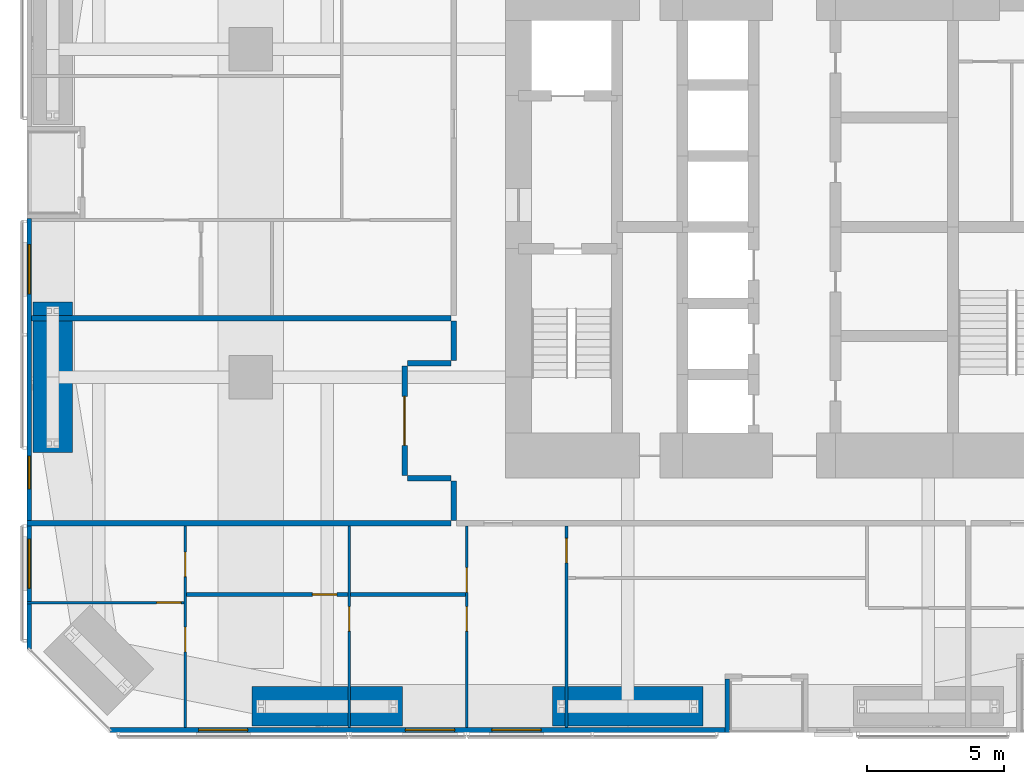
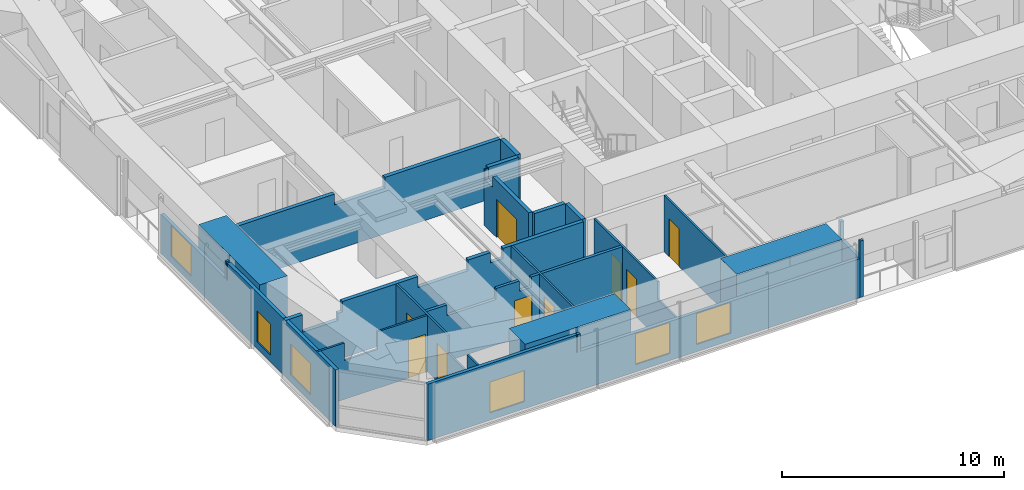
# One storey, part 17 of 24: 20 walls, 9 doors, 6 windows, 15 openings.
"""IFC4 building model written with IfcOpenShell, lengths in metres."""

import ifcopenshell
import ifcopenshell.guid

model = None  # the IFC model being written
_history = None  # IfcOwnerHistory: only IFC2X3 demands one
_inside = {}  # id of a spatial element -> (the spatial element, [elements in it])
_under = {}  # id of a project, library or spatial element -> (it, [spatial elements below it])
_declared = {}  # id of a project -> (the project, [libraries it declares])
_typed = {}  # id of a type object -> (the type object, [elements of that type])
_made_of = {}  # id of a material, layer set ... -> (it, [elements and type objects made of it])


def new_model(schema):
    """Start an empty IFC model of exactly this schema.

    Asked for "IFC4X3", IfcOpenShell would pick the latest addendum, in which some entities
    have other attributes; the version numbers below select the first issue.
    IFC2X3 requires an IfcOwnerHistory on every rooted entity: one is made here for all.
    """
    global model, _history
    if schema == "IFC4X3":
        model = ifcopenshell.file(schema_version=(4, 3, 0, 0))
    else:
        model = ifcopenshell.file(schema=schema)
    _inside.clear()
    _under.clear()
    _declared.clear()
    _typed.clear()
    _made_of.clear()
    _history = None
    if model.schema == "IFC2X3":
        org = make("IfcOrganization", Name="unknown")
        user = make(
            "IfcPersonAndOrganization",
            ThePerson=make("IfcPerson", FamilyName="unknown"),
            TheOrganization=org,
        )
        app = make(
            "IfcApplication",
            ApplicationDeveloper=org,
            Version="unknown",
            ApplicationFullName="unknown",
            ApplicationIdentifier="unknown",
        )
        _history = make(
            "IfcOwnerHistory",
            OwningUser=user,
            OwningApplication=app,
            ChangeAction="ADDED",
            CreationDate=0,
        )
    return model


def make(cls, **values):
    """One entity of the class cls with the attributes given. An attribute that is None is left unset."""
    return model.create_entity(
        cls, **{name: value for name, value in values.items() if value is not None}
    )


def rooted(cls, **values):
    """An entity with a GlobalId (a new one), such as an element, a storey or a relation."""
    return make(cls, GlobalId=ifcopenshell.guid.new(), OwnerHistory=_history, **values)


def si_unit(unit_type, name, prefix=None):
    """IfcSIUnit, for example si_unit("LENGTHUNIT", "METRE", prefix="MILLI")."""
    return make("IfcSIUnit", UnitType=unit_type, Prefix=prefix, Name=name)


def assignment(units):
    """IfcUnitAssignment: the units of a project."""
    return None if units is None else make("IfcUnitAssignment", Units=units)


def point(xyz):
    """IfcCartesianPoint."""
    return None if xyz is None else make("IfcCartesianPoint", Coordinates=xyz)


def direction(xyz):
    """IfcDirection."""
    return None if xyz is None else make("IfcDirection", DirectionRatios=xyz)


def frame(location, z_axis=None, x_axis=None):
    """IfcAxis2Placement3D, a coordinate frame: its origin and axes. An axis left out is left unset."""
    return make(
        "IfcAxis2Placement3D",
        Location=point(location),
        Axis=direction(z_axis),
        RefDirection=direction(x_axis),
    )


def frame_2d(location, x_axis=None):
    """IfcAxis2Placement2D, a coordinate frame in the plane: its origin and x axis."""
    return make(
        "IfcAxis2Placement2D", Location=point(location), RefDirection=direction(x_axis)
    )


def origin():
    """The frame at (0, 0, 0) with its axes left unset."""
    return frame((0.0, 0.0, 0.0))


def place(relative_to, where):
    """IfcLocalPlacement: puts the frame where relative to a parent placement (None: the world)."""
    return make(
        "IfcLocalPlacement", PlacementRelTo=relative_to, RelativePlacement=where
    )


def context(
    kind, dimensions, precision=None, world=None, true_north=None, identifier=None
):
    """IfcGeometricRepresentationContext, for example the 3D "Model" context."""
    return make(
        "IfcGeometricRepresentationContext",
        ContextIdentifier=identifier,
        ContextType=kind,
        CoordinateSpaceDimension=dimensions,
        Precision=precision,
        WorldCoordinateSystem=world,
        TrueNorth=true_north,
    )


def subcontext(parent, identifier, kind, view, scale=None):
    """IfcGeometricRepresentationSubContext, for example "Body" below "Model"."""
    return make(
        "IfcGeometricRepresentationSubContext",
        ContextIdentifier=identifier,
        ContextType=kind,
        ParentContext=parent,
        TargetScale=scale,
        TargetView=view,
    )


def project(units=None, contexts=None):
    """IfcProject with its units and contexts."""
    return rooted(
        "IfcProject",
        Name="project",
        RepresentationContexts=contexts,
        UnitsInContext=assignment(units),
    )


def spatial(cls, under=None, at=None, **own):
    """A site, building, storey or space (cls), placed at a placement, below another one or the project."""
    s = rooted(cls, ObjectPlacement=at, **own)
    if under is not None:
        _under.setdefault(under.id(), (under, []))[1].append(s)
    return s


def polyline(points):
    """IfcPolyline through the points."""
    return make("IfcPolyline", Points=[point(p) for p in points])


def profile(cls, at=None, kind="AREA", **sizes):
    """A parametric profile (cls). Its sizes go by their IFC names, for example OverallWidth=200.0."""
    return make(cls, ProfileType=kind, Position=at, **sizes)


def rectangle(**sizes):
    """IfcRectangleProfileDef."""
    return profile("IfcRectangleProfileDef", **sizes)


def outline(outer, holes=None, kind="AREA"):
    """IfcArbitraryClosedProfileDef: a profile drawn as a closed curve; with holes, ...WithVoids."""
    if holes is None:
        return make("IfcArbitraryClosedProfileDef", ProfileType=kind, OuterCurve=outer)
    return make(
        "IfcArbitraryProfileDefWithVoids",
        ProfileType=kind,
        OuterCurve=outer,
        InnerCurves=holes,
    )


def extrude(swept, where, along, depth):
    """IfcExtrudedAreaSolid: the profile swept, set in the frame where, extruded along a direction by depth."""
    return make(
        "IfcExtrudedAreaSolid",
        SweptArea=swept,
        Position=where,
        ExtrudedDirection=direction(along),
        Depth=depth,
    )


def shape(context_of_items, identifier, shape_type, items):
    """IfcShapeRepresentation: the items that make up one representation, for example the "Body"."""
    return make(
        "IfcShapeRepresentation",
        ContextOfItems=context_of_items,
        RepresentationIdentifier=identifier,
        RepresentationType=shape_type,
        Items=items,
    )


def material(Name=None, Category=None):
    """IfcMaterial."""
    return make("IfcMaterial", Name=Name, Category=Category)


def layer(
    of_material, thickness, ventilated=None, Name=None, Category=None, Priority=None
):
    """IfcMaterialLayer: one layer of a wall or slab, of a material (None: an air gap)."""
    return make(
        "IfcMaterialLayer",
        Material=of_material,
        LayerThickness=thickness,
        IsVentilated=ventilated,
        Name=Name,
        Category=Category,
        Priority=Priority,
    )


def layer_set(layers, Name=None):
    """IfcMaterialLayerSet."""
    return make("IfcMaterialLayerSet", MaterialLayers=layers, LayerSetName=Name)


def constituent(of_material, Name=None, Category=None, fraction=None):
    """IfcMaterialConstituent: one of the materials an element consists of."""
    return make(
        "IfcMaterialConstituent",
        Name=Name,
        Material=of_material,
        Fraction=fraction,
        Category=Category,
    )


def constituent_set(constituents=None, Name=None):
    """IfcMaterialConstituentSet."""
    return make(
        "IfcMaterialConstituentSet", Name=Name, MaterialConstituents=constituents
    )


def made_of(thing, what):
    """Note that an element or type object is made of a material, layer set ...; save() writes the relation."""
    if what is not None:
        _made_of.setdefault(what.id(), (what, []))[1].append(thing)
    return thing


def type_object(cls, material=None, **own):
    """A type object (cls), such as IfcWallType, which elements share."""
    return made_of(rooted(cls, **own), material)


def element(
    cls,
    number,
    at=None,
    inside=None,
    cuts=None,
    type_object=None,
    material=None,
    context=None,
    identifier="Body",
    shape_type=None,
    held_by="IfcProductDefinitionShape",
    body=None,
    shapes=None,
    **own,
):
    """One element of the class cls, such as IfcWall. Its Tag is "e" and its number.

    at: its placement. inside: the storey or other place that contains it. cuts: it is an
    opening in that element (IfcRelVoidsElement). A single representation is given by context,
    identifier, shape_type and body (its items); several are given by shapes. held_by: the class
    of the entity that holds the representations. save() writes the other relations.
    """
    e = rooted(cls, Tag="e%d" % number, ObjectPlacement=at, **own)
    if body is not None:
        shapes = [shape(context, identifier, shape_type, body)]
    if shapes is not None:
        e.Representation = make(held_by, Representations=shapes)
    if inside is not None:
        _inside.setdefault(inside.id(), (inside, []))[1].append(e)
    if cuts is not None:
        rooted(
            "IfcRelVoidsElement", RelatingBuildingElement=cuts, RelatedOpeningElement=e
        )
    if type_object is not None:
        _typed.setdefault(type_object.id(), (type_object, []))[1].append(e)
    return made_of(e, material)


def fill(opening, filler):
    """IfcRelFillsElement: the door or window that sits in an opening."""
    return rooted(
        "IfcRelFillsElement",
        RelatingOpeningElement=opening,
        RelatedBuildingElement=filler,
    )


def aggregate(whole, parts):
    """IfcRelAggregates: a whole, such as a stair, and the parts it consists of."""
    return rooted("IfcRelAggregates", RelatingObject=whole, RelatedObjects=parts)


def save(model, path):
    """Write the relations noted so far, then the file.

    IfcRelAggregates (storeys below a building ...), IfcRelContainedInSpatialStructure (elements
    in a storey), IfcRelDefinesByType, IfcRelAssociatesMaterial and IfcRelDeclares: one each for
    every whole, place, type object, material and project.
    """
    for whole, parts in _under.values():
        aggregate(whole, parts)
    for where, things in _inside.values():
        rooted(
            "IfcRelContainedInSpatialStructure",
            RelatedElements=things,
            RelatingStructure=where,
        )
    for kind, things in _typed.values():
        rooted("IfcRelDefinesByType", RelatedObjects=things, RelatingType=kind)
    for what, things in _made_of.values():
        rooted("IfcRelAssociatesMaterial", RelatedObjects=things, RelatingMaterial=what)
    for by, libraries in _declared.values():
        rooted("IfcRelDeclares", RelatingContext=by, RelatedDefinitions=libraries)
    model.write(path)


model = new_model("IFC4")

# Units and contexts
model_context = context("Model", 3, precision=1e-05, world=origin(), true_north=direction((0.0, 1.0)))
body_context = subcontext(model_context, "Body", "Model", "MODEL_VIEW")
ifc_project = project(units=[si_unit("LENGTHUNIT", "METRE"), si_unit("AREAUNIT", "SQUARE_METRE"), si_unit("VOLUMEUNIT", "CUBIC_METRE"), si_unit("PLANEANGLEUNIT", "RADIAN"), si_unit("MASSUNIT", "GRAM", prefix="KILO")], contexts=[model_context])

# Site, building, storey
site_placement = place(None, origin())
site = spatial("IfcSite", under=ifc_project, at=site_placement, CompositionType="ELEMENT")
building_placement = place(site_placement, origin())
building = spatial("IfcBuilding", under=site, at=building_placement, Name="Jalousie Tower", CompositionType="ELEMENT")
storey_placement = place(building_placement, frame((0.0, 0.0, 47.800048828125)))
storey = spatial("IfcBuildingStorey", under=building, at=storey_placement, Name="L12", CompositionType="ELEMENT", Elevation=47.800048828125)

# Wall, opening, door
ifc_material_1 = material(Name="Concrete block ASTM C90", Category="concrete")
ifc_constituent_1 = constituent(ifc_material_1, Name="Body")
ifc_material_2 = material(Name="Render")
ifc_constituent_2 = constituent(ifc_material_2, Name="Finish")
ifc_constituent_set_1 = constituent_set(constituents=[ifc_constituent_1, ifc_constituent_2])
wall_type_1 = type_object("IfcWallType", Name="BATHROOM WALL 150", PredefinedType="PLUMBINGWALL", material=ifc_constituent_set_1)
wall_1_placement = place(storey_placement, frame((7.85009765625, 5.050048828125, 0.0), z_axis=(0.0, 0.0, 1.0), x_axis=(1.0, 0.0, 0.0)))
wall_1 = element("IfcWall", 1, at=wall_1_placement, inside=storey, type_object=wall_type_1, Name="Bathroom Wall 150 L12", PredefinedType="PLUMBINGWALL", context=body_context, shape_type="SweptSolid", body=[
    extrude(outline(polyline([(0.0, 0.0), (5.89990234375, 0.0), (5.89990234375, 3.10986328125), (5.46240234375, 3.10986328125), (5.46240234375, 2.541015625), (4.837646484375, 2.541015625), (4.837646484375, 3.10986328125), (3.635009765625, 3.10986328125), (3.635009765625, 2.510009765625), (1.06494140625, 2.510009765625), (1.06494140625, 3.10986328125), (0.0, 3.10986328125), (0.0, 0.0)])), frame((0.0, 0.074951171875, 0.0), z_axis=(0.0, -1.0, 0.0), x_axis=(1.0, 0.0, 0.0)), (0.0, 0.0, 1.0), 0.14990234375),
])
opening_1_placement = place(wall_1_placement, frame((4.60009765625, 0.0, 0.0)))
opening_1 = element("IfcOpeningElement", 2, at=opening_1_placement, cuts=wall_1, Name="Opening D3", PredefinedType="OPENING", context=body_context, shape_type="SweptSolid", body=[
    extrude(rectangle(XDim=0.89990234375, YDim=2.10009765625, at=frame_2d((0.449951171875, 1.050048828125))), frame((0.0, 0.0849609375, 0.0), z_axis=(0.0, -1.0, 0.0), x_axis=(1.0, 0.0, 0.0)), (0.0, 0.0, 1.0), 0.169921875),
])
ifc_material_3 = material(Name="Timber door", Category="wood")
door_type_1 = type_object("IfcDoorType", Name="BATHROOM DOOR 900", OperationType="SINGLE_SWING_LEFT", PredefinedType="DOOR", material=ifc_material_3)
door_1_placement = place(opening_1_placement, origin())
door_1 = element("IfcDoor", 3, at=door_1_placement, inside=storey, type_object=door_type_1, Name="Apartment 1201 bedroom 2 bathroom door", OperationType="SINGLE_SWING_RIGHT", OverallHeight=2.10009765625, OverallWidth=0.89990234375, PredefinedType="DOOR", context=body_context, shape_type="SweptSolid", body=[
    extrude(rectangle(XDim=0.89990234375, YDim=2.10009765625, at=frame_2d((0.449951171875, 1.050048828125))), frame((0.0, 0.02490234375, 0.0), z_axis=(0.0, -1.0, 0.0), x_axis=(1.0, 0.0, 0.0)), (0.0, 0.0, 1.0), 0.050048828125),
])
fill(opening_1, door_1)

# Walls
wall_2_placement = place(storey_placement, frame((13.85009765625, 5.050048828125, 0.0), z_axis=(0.0, 0.0, 1.0), x_axis=(1.0, 0.0, 0.0)))
element("IfcWall", 4, at=wall_2_placement, inside=storey, type_object=wall_type_1, Name="Bathroom Wall 150 L12", PredefinedType="PLUMBINGWALL", context=body_context, shape_type="SweptSolid", body=[
    extrude(rectangle(XDim=4.199951171875, YDim=0.14990234375, at=frame_2d((2.10009765625, 0.0))), origin(), (0.0, 0.0, 1.0), 3.10986328125),
])
ifc_material_4 = material(Name="Concrete block ASTM C90", Category="concrete")
ifc_constituent_3 = constituent(ifc_material_4, Name="Body")
ifc_material_5 = material(Name="Render")
ifc_constituent_4 = constituent(ifc_material_5, Name="Finish")
ifc_constituent_set_2 = constituent_set(constituents=[ifc_constituent_3, ifc_constituent_4])
wall_type_2 = type_object("IfcWallType", Name="CORRIDOR WALL 200", PredefinedType="PARTITIONING", material=ifc_constituent_set_2)
for number, where, z_axis, x_axis, name in (
    (5, (17.625, 7.75, 0.0), (0.0, 0.0, 1.0), (0.0, 1.0, 0.0), "Corridor Wall 200 L12"),
    (6, (17.625, 13.60009765625, 0.0), (0.0, 0.0, 1.0), (0.0, 1.0, 0.0), "Corridor Wall 200 L12"),
):
    element("IfcWall", number, at=place(storey_placement, frame(where, z_axis=z_axis, x_axis=x_axis)), inside=storey, type_object=wall_type_2, Name=name, PredefinedType="PARTITIONING", context=body_context, shape_type="SweptSolid", body=[
        extrude(rectangle(XDim=1.449951171875, YDim=0.199951171875, at=frame_2d((0.72509765625, 0.0))), origin(), (0.0, 0.0, 1.0), 3.10986328125),
    ])

# Wall, opening, door
wall_3_placement = place(storey_placement, frame((15.824951171875, 9.39990234375, 0.0), z_axis=(0.0, 0.0, 1.0), x_axis=(0.0, 1.0, 0.0)))
wall_3 = element("IfcWall", 7, at=wall_3_placement, inside=storey, type_object=wall_type_2, Name="Corridor Wall 200 L12", PredefinedType="PARTITIONING", context=body_context, shape_type="SweptSolid", body=[
    extrude(outline(polyline([(0.0, 0.0), (4.0, 0.0), (4.0, 3.10986328125), (3.937255859375, 3.10986328125), (3.937255859375, 2.541015625), (3.2626953125, 2.541015625), (3.2626953125, 3.10986328125), (0.0, 3.10986328125), (0.0, 0.0)])), frame((0.0, 0.10009765625, 0.0), z_axis=(0.0, -1.0, 0.0), x_axis=(1.0, 0.0, 0.0)), (0.0, 0.0, 1.0), 0.199951171875),
])
opening_2_placement = place(wall_3_placement, frame((1.10009765625, 0.0, 0.0)))
opening_2 = element("IfcOpeningElement", 8, at=opening_2_placement, cuts=wall_3, Name="Opening D22", PredefinedType="OPENING", context=body_context, shape_type="SweptSolid", body=[
    extrude(rectangle(XDim=1.800048828125, YDim=2.10009765625, at=frame_2d((0.89990234375, 1.050048828125))), frame((0.0, 0.10986328125, 0.0), z_axis=(0.0, -1.0, 0.0), x_axis=(1.0, 0.0, 0.0)), (0.0, 0.0, 1.0), 0.219970703125),
])
ifc_material_6 = material(Name="Timber fire door", Category="wood")
door_type_2 = type_object("IfcDoorType", Name="CORRIDOR DOUBLE DOOR 1800", OperationType="DOUBLE_DOOR_SINGLE_SWING", PredefinedType="DOOR", material=ifc_material_6)
door_2_placement = place(opening_2_placement, origin())
door_2 = element("IfcDoor", 9, at=door_2_placement, inside=storey, type_object=door_type_2, Name="Residents' library door", OperationType="DOUBLE_DOOR_SINGLE_SWING", OverallHeight=2.10009765625, OverallWidth=1.800048828125, PredefinedType="DOOR", context=body_context, shape_type="SweptSolid", body=[
    extrude(rectangle(XDim=1.800048828125, YDim=2.10009765625, at=frame_2d((0.89990234375, 1.050048828125))), frame((0.0, 0.02490234375, 0.0), z_axis=(0.0, -1.0, 0.0), x_axis=(1.0, 0.0, 0.0)), (0.0, 0.0, 1.0), 0.050048828125),
])
fill(opening_2, door_2)

# Walls
for number, where, z_axis, x_axis, name in (
    (10, (17.52490234375, 9.300048828125, 0.0), (0.0, 0.0, 1.0), (-1.0, 0.0, 0.0), "Corridor Wall 200 L12"),
    (11, (17.52490234375, 13.5, 0.0), (0.0, 0.0, 1.0), (-1.0, 0.0, 0.0), "Corridor Wall 200 L12"),
):
    element("IfcWall", number, at=place(storey_placement, frame(where, z_axis=z_axis, x_axis=x_axis)), inside=storey, type_object=wall_type_2, Name=name, PredefinedType="PARTITIONING", context=body_context, shape_type="SweptSolid", body=[
        extrude(rectangle(XDim=1.599853515625, YDim=0.199951171875, at=frame_2d((0.7998046875, 0.0))), origin(), (0.0, 0.0, 1.0), 3.10986328125),
    ])

# Wall, openings, windows
ifc_material_7 = material(Name="Concrete f'c 40 MPa", Category="concrete")
ifc_constituent_5 = constituent(ifc_material_7, Name="Body")
ifc_material_8 = material(Name="Render, pastel coral")
ifc_constituent_6 = constituent(ifc_material_8, Name="Finish")
ifc_constituent_set_3 = constituent_set(constituents=[ifc_constituent_5, ifc_constituent_6])
wall_type_3 = type_object("IfcWallType", Name="EXTERNAL WALL 175 CORAL RENDER", PredefinedType="SOLIDWALL", material=ifc_constituent_set_3)
wall_4_placement = place(storey_placement, frame((5.05126953125, 0.08740234375, 0.0), z_axis=(0.0, 0.0, 1.0), x_axis=(1.0, 0.0, 0.0)))
wall_4 = element("IfcWall", 12, at=wall_4_placement, inside=storey, type_object=wall_type_3, Name="External Wall 175 Coral Render L12", PredefinedType="SOLIDWALL", context=body_context, shape_type="SweptSolid", body=[
    extrude(outline(polyline([(0.0, 0.0), (22.498779296875, 0.0), (22.498779296875, 2.14990234375), (7.94873046875, 2.14990234375), (7.94873046875, 3.10986328125), (7.79296875, 3.10986328125), (7.79296875, 2.14990234375), (7.74462890625, 2.14990234375), (7.74462890625, 3.10986328125), (0.0, 3.10986328125), (0.0, 0.0)])), frame((0.0, 0.08740234375, 0.0), z_axis=(0.0, -1.0, 0.0), x_axis=(1.0, 0.0, 0.0)), (0.0, 0.0, 1.0), 0.175048828125),
])
opening_3_placement = place(wall_4_placement, frame((3.233642578125, 0.0, 0.39990234375)))
opening_3 = element("IfcOpeningElement", 13, at=opening_3_placement, cuts=wall_4, Name="Opening W-BED170", PredefinedType="OPENING", context=body_context, shape_type="SweptSolid", body=[
    extrude(rectangle(XDim=1.800048828125, YDim=1.699951171875, at=frame_2d((0.89990234375, 0.85009765625))), frame((0.0, 0.097412109375, 0.0), z_axis=(0.0, -1.0, 0.0), x_axis=(1.0, 0.0, 0.0)), (0.0, 0.0, 1.0), 0.195068359375),
])
opening_4_placement = place(wall_4_placement, frame((10.80615234375, 0.0, 0.39990234375)))
opening_4 = element("IfcOpeningElement", 14, at=opening_4_placement, cuts=wall_4, Name="Opening W-BED170", PredefinedType="OPENING", context=body_context, shape_type="SweptSolid", body=[
    extrude(rectangle(XDim=1.800048828125, YDim=1.699951171875, at=frame_2d((0.89990234375, 0.85009765625))), frame((0.0, 0.097412109375, 0.0), z_axis=(0.0, -1.0, 0.0), x_axis=(1.0, 0.0, 0.0)), (0.0, 0.0, 1.0), 0.195068359375),
])
opening_5_placement = place(wall_4_placement, frame((13.9736328125, 0.0, 0.39990234375)))
opening_5 = element("IfcOpeningElement", 15, at=opening_5_placement, cuts=wall_4, Name="Opening W-BED170", PredefinedType="OPENING", context=body_context, shape_type="SweptSolid", body=[
    extrude(rectangle(XDim=1.800048828125, YDim=1.699951171875, at=frame_2d((0.89990234375, 0.85009765625))), frame((0.0, 0.097412109375, 0.0), z_axis=(0.0, -1.0, 0.0), x_axis=(1.0, 0.0, 0.0)), (0.0, 0.0, 1.0), 0.195068359375),
])
ifc_material_9 = material(Name="Aluminium frame, impact-rated glazing", Category="aluminium")
window_type_1 = type_object("IfcWindowType", Name="WINDOW BED 1800x1700", PartitioningType="SINGLE_PANEL", PredefinedType="WINDOW", material=ifc_material_9)
window_1_placement = place(opening_3_placement, origin())
window_1 = element("IfcWindow", 16, at=window_1_placement, inside=storey, type_object=window_type_1, Name="Apartment 1201 bedroom 2 window", OverallHeight=1.699951171875, OverallWidth=1.800048828125, PartitioningType="SINGLE_PANEL", PredefinedType="WINDOW", context=body_context, shape_type="SweptSolid", body=[
    extrude(rectangle(XDim=1.800048828125, YDim=1.699951171875, at=frame_2d((0.89990234375, 0.85009765625))), frame((0.0, 0.030029296875, 0.0), z_axis=(0.0, -1.0, 0.0), x_axis=(1.0, 0.0, 0.0)), (0.0, 0.0, 1.0), 0.06005859375),
])
fill(opening_3, window_1)
window_2_placement = place(opening_4_placement, origin())
window_2 = element("IfcWindow", 17, at=window_2_placement, inside=storey, type_object=window_type_1, Name="Apartment 1201 bedroom 3 window", OverallHeight=1.699951171875, OverallWidth=1.800048828125, PartitioningType="SINGLE_PANEL", PredefinedType="WINDOW", context=body_context, shape_type="SweptSolid", body=[
    extrude(rectangle(XDim=1.800048828125, YDim=1.699951171875, at=frame_2d((0.89990234375, 0.85009765625))), frame((0.0, 0.030029296875, 0.0), z_axis=(0.0, -1.0, 0.0), x_axis=(1.0, 0.0, 0.0)), (0.0, 0.0, 1.0), 0.06005859375),
])
fill(opening_4, window_2)
window_3_placement = place(opening_5_placement, origin())
window_3 = element("IfcWindow", 18, at=window_3_placement, inside=storey, type_object=window_type_1, Name="Apartment 1201 study window", OverallHeight=1.699951171875, OverallWidth=1.800048828125, PartitioningType="SINGLE_PANEL", PredefinedType="WINDOW", context=body_context, shape_type="SweptSolid", body=[
    extrude(rectangle(XDim=1.800048828125, YDim=1.699951171875, at=frame_2d((0.89990234375, 0.85009765625))), frame((0.0, 0.030029296875, 0.0), z_axis=(0.0, -1.0, 0.0), x_axis=(1.0, 0.0, 0.0)), (0.0, 0.0, 1.0), 0.06005859375),
])
fill(opening_5, window_3)

# Wall
wall_5_placement = place(storey_placement, frame((27.637451171875, 0.0, 0.0), z_axis=(0.0, 0.0, 1.0), x_axis=(0.0, 1.0, 0.0)))
element("IfcWall", 19, at=wall_5_placement, inside=storey, type_object=wall_type_3, Name="External Wall 175 Coral Render L12", PredefinedType="SOLIDWALL", context=body_context, shape_type="SweptSolid", body=[
    extrude(outline(polyline([(0.0, 0.0), (1.949951171875, 0.0), (1.949951171875, 3.10986328125), (1.75, 3.10986328125), (1.75, 2.14990234375), (0.14990234375, 2.14990234375), (0.14990234375, 3.10986328125), (0.0, 3.10986328125), (0.0, 0.0)])), frame((0.0, 0.08740234375, 0.0), z_axis=(0.0, -1.0, 0.0), x_axis=(1.0, 0.0, 0.0)), (0.0, 0.0, 1.0), 0.175048828125),
])

# Wall, openings, windows
wall_6_placement = place(storey_placement, frame((2.08740234375, 18.800048828125, 0.0), z_axis=(0.0, 0.0, 1.0), x_axis=(0.0, -1.0, 0.0)))
wall_6 = element("IfcWall", 20, at=wall_6_placement, inside=storey, type_object=wall_type_3, Name="External Wall 175 Coral Render L12", PredefinedType="SOLIDWALL", context=body_context, shape_type="SweptSolid", body=[
    extrude(outline(polyline([(0.0, 0.0), (15.748779296875, 0.0), (15.748779296875, 3.10986328125), (6.0185546875, 3.10986328125), (6.0185546875, 2.14990234375), (5.92578125, 2.14990234375), (5.92578125, 3.10986328125), (5.800048828125, 3.10986328125), (5.800048828125, 2.14990234375), (0.0, 2.14990234375), (0.0, 0.0)])), frame((0.0, 0.08740234375, 0.0), z_axis=(0.0, -1.0, 0.0), x_axis=(1.0, 0.0, 0.0)), (0.0, 0.0, 1.0), 0.175048828125),
])
opening_6_placement = place(wall_6_placement, frame((0.949951171875, 0.0, 0.39990234375)))
opening_6 = element("IfcOpeningElement", 21, at=opening_6_placement, cuts=wall_6, Name="Opening W-BED170", PredefinedType="OPENING", context=body_context, shape_type="SweptSolid", body=[
    extrude(rectangle(XDim=1.800048828125, YDim=1.699951171875, at=frame_2d((0.89990234375, 0.85009765625))), frame((0.0, 0.097412109375, 0.0), z_axis=(0.0, -1.0, 0.0), x_axis=(1.0, 0.0, 0.0)), (0.0, 0.0, 1.0), 0.195068359375),
])
opening_7_placement = place(wall_6_placement, frame((8.68994140625, 0.0, 0.39990234375)))
opening_7 = element("IfcOpeningElement", 22, at=opening_7_placement, cuts=wall_6, Name="Opening W-COR170", PredefinedType="OPENING", context=body_context, shape_type="SweptSolid", body=[
    extrude(rectangle(XDim=1.199951171875, YDim=1.699951171875, at=frame_2d((0.60009765625, 0.85009765625))), frame((0.0, 0.097412109375, 0.0), z_axis=(0.0, -1.0, 0.0), x_axis=(1.0, 0.0, 0.0)), (0.0, 0.0, 1.0), 0.195068359375),
])
opening_8_placement = place(wall_6_placement, frame((11.726806640625, 0.0, 0.39990234375)))
opening_8 = element("IfcOpeningElement", 23, at=opening_8_placement, cuts=wall_6, Name="Opening W-BED170", PredefinedType="OPENING", context=body_context, shape_type="SweptSolid", body=[
    extrude(rectangle(XDim=1.800048828125, YDim=1.699951171875, at=frame_2d((0.89990234375, 0.85009765625))), frame((0.0, 0.097412109375, 0.0), z_axis=(0.0, -1.0, 0.0), x_axis=(1.0, 0.0, 0.0)), (0.0, 0.0, 1.0), 0.195068359375),
])
window_4_placement = place(opening_6_placement, origin())
window_4 = element("IfcWindow", 24, at=window_4_placement, inside=storey, type_object=window_type_1, Name="Apartment 1206 bedroom 1 window", OverallHeight=1.699951171875, OverallWidth=1.800048828125, PartitioningType="SINGLE_PANEL", PredefinedType="WINDOW", context=body_context, shape_type="SweptSolid", body=[
    extrude(rectangle(XDim=1.800048828125, YDim=1.699951171875, at=frame_2d((0.89990234375, 0.85009765625))), frame((0.0, 0.030029296875, 0.0), z_axis=(0.0, -1.0, 0.0), x_axis=(1.0, 0.0, 0.0)), (0.0, 0.0, 1.0), 0.06005859375),
])
fill(opening_6, window_4)
window_5_placement = place(opening_8_placement, origin())
window_5 = element("IfcWindow", 25, at=window_5_placement, inside=storey, type_object=window_type_1, Name="Apartment 1201 bedroom 1 window", OverallHeight=1.699951171875, OverallWidth=1.800048828125, PartitioningType="SINGLE_PANEL", PredefinedType="WINDOW", context=body_context, shape_type="SweptSolid", body=[
    extrude(rectangle(XDim=1.800048828125, YDim=1.699951171875, at=frame_2d((0.89990234375, 0.85009765625))), frame((0.0, 0.030029296875, 0.0), z_axis=(0.0, -1.0, 0.0), x_axis=(1.0, 0.0, 0.0)), (0.0, 0.0, 1.0), 0.06005859375),
])
fill(opening_8, window_5)
ifc_material_10 = material(Name="Aluminium frame, impact-rated glazing", Category="aluminium")
window_type_2 = type_object("IfcWindowType", Name="WINDOW COR 1200x1700", PartitioningType="SINGLE_PANEL", PredefinedType="WINDOW", material=ifc_material_10)
window_6_placement = place(opening_7_placement, origin())
window_6 = element("IfcWindow", 26, at=window_6_placement, inside=storey, type_object=window_type_2, Name="Residents' library window", OverallHeight=1.699951171875, OverallWidth=1.199951171875, PartitioningType="SINGLE_PANEL", PredefinedType="WINDOW", context=body_context, shape_type="SweptSolid", body=[
    extrude(rectangle(XDim=1.199951171875, YDim=1.699951171875, at=frame_2d((0.60009765625, 0.85009765625))), frame((0.0, 0.030029296875, 0.0), z_axis=(0.0, -1.0, 0.0), x_axis=(1.0, 0.0, 0.0)), (0.0, 0.0, 1.0), 0.06005859375),
])
fill(opening_7, window_6)

# Wall, openings, doors
ifc_material_11 = material(Name="Gypsum board", Category="gypsum")
ifc_constituent_7 = constituent(ifc_material_11, Name="Body")
ifc_material_12 = material(Name="Light-gauge steel studs ASTM A653 SS Grade 33", Category="steel")
ifc_constituent_8 = constituent(ifc_material_12, Name="Framing")
ifc_constituent_set_4 = constituent_set(constituents=[ifc_constituent_7, ifc_constituent_8])
wall_type_4 = type_object("IfcWallType", Name="PARTITION 100", PredefinedType="PARTITIONING", material=ifc_constituent_set_4)
wall_7_placement = place(storey_placement, frame((7.800048828125, 0.175048828125, 0.0), z_axis=(0.0, 0.0, 1.0), x_axis=(0.0, 1.0, 0.0)))
wall_7 = element("IfcWall", 27, at=wall_7_placement, inside=storey, type_object=wall_type_4, Name="Partition 100 L12", PredefinedType="PARTITIONING", context=body_context, shape_type="SweptSolid", body=[
    extrude(outline(polyline([(0.0, 0.0), (7.375, 0.0), (7.375, 3.10986328125), (2.697021484375, 3.10986328125), (2.697021484375, 2.14990234375), (0.942626953125, 2.14990234375), (0.942626953125, 3.10986328125), (0.0, 3.10986328125), (0.0, 0.0)])), frame((0.0, 0.050048828125, 0.0), z_axis=(0.0, -1.0, 0.0), x_axis=(1.0, 0.0, 0.0)), (0.0, 0.0, 1.0), 0.10009765625),
])
opening_9_placement = place(wall_7_placement, frame((2.771728515625, 0.0, 0.0)))
opening_9 = element("IfcOpeningElement", 28, at=opening_9_placement, cuts=wall_7, Name="Opening D2", PredefinedType="OPENING", context=body_context, shape_type="SweptSolid", body=[
    extrude(rectangle(XDim=0.89990234375, YDim=2.10009765625, at=frame_2d((0.449951171875, 1.050048828125))), frame((0.0, 0.06005859375, 0.0), z_axis=(0.0, -1.0, 0.0), x_axis=(1.0, 0.0, 0.0)), (0.0, 0.0, 1.0), 0.1201171875),
])
opening_10_placement = place(wall_7_placement, frame((5.523193359375, 0.0, 0.0)))
opening_10 = element("IfcOpeningElement", 29, at=opening_10_placement, cuts=wall_7, Name="Opening D3", PredefinedType="OPENING", context=body_context, shape_type="SweptSolid", body=[
    extrude(rectangle(XDim=0.89990234375, YDim=2.10009765625, at=frame_2d((0.449951171875, 1.050048828125))), frame((0.0, 0.06005859375, 0.0), z_axis=(0.0, -1.0, 0.0), x_axis=(1.0, 0.0, 0.0)), (0.0, 0.0, 1.0), 0.1201171875),
])
door_3_placement = place(opening_10_placement, frame((0.89990234375, 0.0, 0.0), z_axis=(0.0, 0.0, 1.0), x_axis=(-1.0, 0.0, 0.0)))
door_3 = element("IfcDoor", 30, at=door_3_placement, inside=storey, type_object=door_type_1, Name="Apartment 1201 bedroom 1 bathroom door", OperationType="SINGLE_SWING_RIGHT", OverallHeight=2.10009765625, OverallWidth=0.89990234375, PredefinedType="DOOR", context=body_context, shape_type="SweptSolid", body=[
    extrude(rectangle(XDim=0.89990234375, YDim=2.10009765625, at=frame_2d((0.449951171875, 1.050048828125))), frame((0.0, 0.02490234375, 0.0), z_axis=(0.0, -1.0, 0.0), x_axis=(1.0, 0.0, 0.0)), (0.0, 0.0, 1.0), 0.050048828125),
])
fill(opening_10, door_3)
ifc_material_13 = material(Name="Timber door", Category="wood")
door_type_3 = type_object("IfcDoorType", Name="BEDROOM DOOR 900", OperationType="SINGLE_SWING_LEFT", PredefinedType="DOOR", material=ifc_material_13)
door_4_placement = place(opening_9_placement, frame((0.89990234375, 0.0, 0.0), z_axis=(0.0, 0.0, 1.0), x_axis=(-1.0, 0.0, 0.0)))
door_4 = element("IfcDoor", 31, at=door_4_placement, inside=storey, type_object=door_type_3, Name="Apartment 1201 bedroom 1 door", OperationType="SINGLE_SWING_LEFT", OverallHeight=2.10009765625, OverallWidth=0.89990234375, PredefinedType="DOOR", context=body_context, shape_type="SweptSolid", body=[
    extrude(rectangle(XDim=0.89990234375, YDim=2.10009765625, at=frame_2d((0.449951171875, 1.050048828125))), frame((0.0, 0.02490234375, 0.0), z_axis=(0.0, -1.0, 0.0), x_axis=(1.0, 0.0, 0.0)), (0.0, 0.0, 1.0), 0.050048828125),
])
fill(opening_9, door_4)

# Wall, opening, door
wall_8_placement = place(storey_placement, frame((13.800048828125, 0.175048828125, 0.0), z_axis=(0.0, 0.0, 1.0), x_axis=(0.0, 1.0, 0.0)))
wall_8 = element("IfcWall", 32, at=wall_8_placement, inside=storey, type_object=wall_type_4, Name="Partition 100 L12", PredefinedType="PARTITIONING", context=body_context, shape_type="SweptSolid", body=[
    extrude(outline(polyline([(1.635009765625, 2.14990234375), (0.0, 2.14990234375), (0.0, 0.0), (7.375, 0.0), (7.375, 3.10986328125), (1.635009765625, 3.10986328125), (1.635009765625, 2.14990234375)]), holes=[polyline([(1.021240234375, 0.1259765625), (0.52880859375, 0.1259765625), (0.52880859375, 0.9189453125), (1.021240234375, 0.9189453125), (1.021240234375, 0.1259765625)]), polyline([(1.021240234375, 1.23095703125), (0.52880859375, 1.23095703125), (0.52880859375, 2.02392578125), (1.021240234375, 2.02392578125), (1.021240234375, 1.23095703125)])]), frame((0.0, 0.050048828125, 0.0), z_axis=(0.0, -1.0, 0.0), x_axis=(1.0, 0.0, 0.0)), (0.0, 0.0, 1.0), 0.10009765625),
])
opening_11_placement = place(wall_8_placement, frame((3.52490234375, 0.0, 0.0)))
opening_11 = element("IfcOpeningElement", 33, at=opening_11_placement, cuts=wall_8, Name="Opening D2", PredefinedType="OPENING", context=body_context, shape_type="SweptSolid", body=[
    extrude(rectangle(XDim=0.89990234375, YDim=2.10009765625, at=frame_2d((0.449951171875, 1.050048828125))), frame((0.0, 0.06005859375, 0.0), z_axis=(0.0, -1.0, 0.0), x_axis=(1.0, 0.0, 0.0)), (0.0, 0.0, 1.0), 0.1201171875),
])
door_5_placement = place(opening_11_placement, origin())
door_5 = element("IfcDoor", 34, at=door_5_placement, inside=storey, type_object=door_type_3, Name="Apartment 1201 bedroom 2 door", OperationType="SINGLE_SWING_RIGHT", OverallHeight=2.10009765625, OverallWidth=0.89990234375, PredefinedType="DOOR", context=body_context, shape_type="SweptSolid", body=[
    extrude(rectangle(XDim=0.89990234375, YDim=2.10009765625, at=frame_2d((0.449951171875, 1.050048828125))), frame((0.0, 0.02490234375, 0.0), z_axis=(0.0, -1.0, 0.0), x_axis=(1.0, 0.0, 0.0)), (0.0, 0.0, 1.0), 0.050048828125),
])
fill(opening_11, door_5)

# Wall, openings, doors
wall_9_placement = place(storey_placement, frame((18.10009765625, 0.175048828125, 0.0), z_axis=(0.0, 0.0, 1.0), x_axis=(0.0, 1.0, 0.0)))
wall_9 = element("IfcWall", 35, at=wall_9_placement, inside=storey, type_object=wall_type_4, Name="Partition 100 L12", PredefinedType="PARTITIONING", context=body_context, shape_type="SweptSolid", body=[
    extrude(outline(polyline([(0.0, 0.0), (7.375, 0.0), (7.375, 3.10986328125), (1.635009765625, 3.10986328125), (1.635009765625, 2.14990234375), (0.0, 2.14990234375), (0.0, 3.10986328125), (0.0, 0.0)])), frame((0.0, 0.050048828125, 0.0), z_axis=(0.0, -1.0, 0.0), x_axis=(1.0, 0.0, 0.0)), (0.0, 0.0, 1.0), 0.10009765625),
])
opening_12_placement = place(wall_9_placement, frame((3.52490234375, 0.0, 0.0)))
opening_12 = element("IfcOpeningElement", 36, at=opening_12_placement, cuts=wall_9, Name="Opening D2", PredefinedType="OPENING", context=body_context, shape_type="SweptSolid", body=[
    extrude(rectangle(XDim=0.89990234375, YDim=2.10009765625, at=frame_2d((0.449951171875, 1.050048828125))), frame((0.0, 0.06005859375, 0.0), z_axis=(0.0, -1.0, 0.0), x_axis=(1.0, 0.0, 0.0)), (0.0, 0.0, 1.0), 0.1201171875),
])
opening_13_placement = place(wall_9_placement, frame((4.949951171875, 0.0, 0.0)))
opening_13 = element("IfcOpeningElement", 37, at=opening_13_placement, cuts=wall_9, Name="Opening D7", PredefinedType="OPENING", context=body_context, shape_type="SweptSolid", body=[
    extrude(rectangle(XDim=0.89990234375, YDim=2.10009765625, at=frame_2d((0.449951171875, 1.050048828125))), frame((0.0, 0.06005859375, 0.0), z_axis=(0.0, -1.0, 0.0), x_axis=(1.0, 0.0, 0.0)), (0.0, 0.0, 1.0), 0.1201171875),
])
door_6_placement = place(opening_12_placement, origin())
door_6 = element("IfcDoor", 38, at=door_6_placement, inside=storey, type_object=door_type_3, Name="Apartment 1201 bedroom 3 door", OperationType="SINGLE_SWING_RIGHT", OverallHeight=2.10009765625, OverallWidth=0.89990234375, PredefinedType="DOOR", context=body_context, shape_type="SweptSolid", body=[
    extrude(rectangle(XDim=0.89990234375, YDim=2.10009765625, at=frame_2d((0.449951171875, 1.050048828125))), frame((0.0, 0.02490234375, 0.0), z_axis=(0.0, -1.0, 0.0), x_axis=(1.0, 0.0, 0.0)), (0.0, 0.0, 1.0), 0.050048828125),
])
fill(opening_12, door_6)
ifc_material_14 = material(Name="Timber door", Category="wood")
door_type_4 = type_object("IfcDoorType", Name="INTERNAL DOOR 900", OperationType="SINGLE_SWING_LEFT", PredefinedType="DOOR", material=ifc_material_14)
door_7_placement = place(opening_13_placement, origin())
door_7 = element("IfcDoor", 39, at=door_7_placement, inside=storey, type_object=door_type_4, Name="Apartment 1201 bathroom door", OperationType="SINGLE_SWING_LEFT", OverallHeight=2.10009765625, OverallWidth=0.89990234375, PredefinedType="DOOR", context=body_context, shape_type="SweptSolid", body=[
    extrude(rectangle(XDim=0.89990234375, YDim=2.10009765625, at=frame_2d((0.449951171875, 1.050048828125))), frame((0.0, 0.02490234375, 0.0), z_axis=(0.0, -1.0, 0.0), x_axis=(1.0, 0.0, 0.0)), (0.0, 0.0, 1.0), 0.050048828125),
])
fill(opening_13, door_7)

# Wall, opening, door
wall_10_placement = place(storey_placement, frame((2.0, 4.74658203125, 0.0), z_axis=(0.0, 0.0, 1.0), x_axis=(1.0, 0.0, 0.0)))
wall_10 = element("IfcWall", 40, at=wall_10_placement, inside=storey, type_object=wall_type_4, Name="Partition 100 L12", PredefinedType="PARTITIONING", context=body_context, shape_type="SweptSolid", body=[
    extrude(outline(polyline([(0.0, 0.0), (5.75, 0.0), (5.75, 3.10986328125), (3.15966796875, 3.10986328125), (3.15966796875, 2.14990234375), (1.4169921875, 2.14990234375), (1.4169921875, 3.10986328125), (0.0, 3.10986328125), (0.0, 0.0)])), frame((0.0, 0.050048828125, 0.0), z_axis=(0.0, -1.0, 0.0), x_axis=(1.0, 0.0, 0.0)), (0.0, 0.0, 1.0), 0.10009765625),
])
opening_14_placement = place(wall_10_placement, frame((4.75, 0.0, 0.0)))
opening_14 = element("IfcOpeningElement", 41, at=opening_14_placement, cuts=wall_10, Name="Opening D7", PredefinedType="OPENING", context=body_context, shape_type="SweptSolid", body=[
    extrude(rectangle(XDim=0.89990234375, YDim=2.10009765625, at=frame_2d((0.449951171875, 1.050048828125))), frame((0.0, 0.06005859375, 0.0), z_axis=(0.0, -1.0, 0.0), x_axis=(1.0, 0.0, 0.0)), (0.0, 0.0, 1.0), 0.1201171875),
])
door_8_placement = place(opening_14_placement, origin())
door_8 = element("IfcDoor", 42, at=door_8_placement, inside=storey, type_object=door_type_4, Name="Apartment 1201 bedroom 1 dressing hall door", OperationType="SINGLE_SWING_RIGHT", OverallHeight=2.10009765625, OverallWidth=0.89990234375, PredefinedType="DOOR", context=body_context, shape_type="SweptSolid", body=[
    extrude(rectangle(XDim=0.89990234375, YDim=2.10009765625, at=frame_2d((0.449951171875, 1.050048828125))), frame((0.0, 0.02490234375, 0.0), z_axis=(0.0, -1.0, 0.0), x_axis=(1.0, 0.0, 0.0)), (0.0, 0.0, 1.0), 0.050048828125),
])
fill(opening_14, door_8)

wall_11_placement = place(storey_placement, frame((21.75, 0.175048828125, 0.0), z_axis=(0.0, 0.0, 1.0), x_axis=(0.0, 1.0, 0.0)))
wall_11 = element("IfcWall", 43, at=wall_11_placement, inside=storey, type_object=wall_type_4, Name="Partition 100 L12", PredefinedType="PARTITIONING", context=body_context, shape_type="SweptSolid", body=[
    extrude(outline(polyline([(0.0, 0.0), (7.375, 0.0), (7.375, 3.10986328125), (1.635009765625, 3.10986328125), (1.635009765625, 2.14990234375), (0.0, 2.14990234375), (0.0, 3.10986328125), (0.0, 0.0)])), frame((0.0, 0.050048828125, 0.0), z_axis=(0.0, -1.0, 0.0), x_axis=(1.0, 0.0, 0.0)), (0.0, 0.0, 1.0), 0.10009765625),
])
opening_15_placement = place(wall_11_placement, frame((6.02490234375, 0.0, 0.0)))
opening_15 = element("IfcOpeningElement", 44, at=opening_15_placement, cuts=wall_11, Name="Opening D2", PredefinedType="OPENING", context=body_context, shape_type="SweptSolid", body=[
    extrude(rectangle(XDim=0.89990234375, YDim=2.10009765625, at=frame_2d((0.449951171875, 1.050048828125))), frame((0.0, 0.06005859375, 0.0), z_axis=(0.0, -1.0, 0.0), x_axis=(1.0, 0.0, 0.0)), (0.0, 0.0, 1.0), 0.1201171875),
])
door_9_placement = place(opening_15_placement, origin())
door_9 = element("IfcDoor", 45, at=door_9_placement, inside=storey, type_object=door_type_3, Name="Apartment 1201 study door", OperationType="SINGLE_SWING_RIGHT", OverallHeight=2.10009765625, OverallWidth=0.89990234375, PredefinedType="DOOR", context=body_context, shape_type="SweptSolid", body=[
    extrude(rectangle(XDim=0.89990234375, YDim=2.10009765625, at=frame_2d((0.449951171875, 1.050048828125))), frame((0.0, 0.02490234375, 0.0), z_axis=(0.0, -1.0, 0.0), x_axis=(1.0, 0.0, 0.0)), (0.0, 0.0, 1.0), 0.050048828125),
])
fill(opening_15, door_9)

# Walls
ifc_material_15 = material(Name="Concrete block ASTM C90", Category="concrete")
ifc_constituent_9 = constituent(ifc_material_15, Name="Body")
ifc_material_16 = material(Name="Render")
ifc_constituent_10 = constituent(ifc_material_16, Name="Finish")
ifc_constituent_set_5 = constituent_set(constituents=[ifc_constituent_9, ifc_constituent_10])
wall_type_5 = type_object("IfcWallType", Name="PARTY WALL 200", PredefinedType="PARTITIONING", material=ifc_constituent_set_5)
wall_12_placement = place(storey_placement, frame((2.0, 7.64990234375, 0.0), z_axis=(0.0, 0.0, 1.0), x_axis=(1.0, 0.0, 0.0)))
element("IfcWall", 46, at=wall_12_placement, inside=storey, type_object=wall_type_5, Name="Party Wall 200 L12", PredefinedType="PARTITIONING", context=body_context, shape_type="SweptSolid", body=[
    extrude(outline(polyline([(0.0, 0.0), (15.52490234375, 0.0), (15.52490234375, 3.10986328125), (11.33740234375, 3.10986328125), (11.33740234375, 2.541015625), (10.66259765625, 2.541015625), (10.66259765625, 3.10986328125), (9.510009765625, 3.10986328125), (9.510009765625, 2.510009765625), (6.889892578125, 2.510009765625), (6.889892578125, 3.10986328125), (2.96875, 3.10986328125), (2.96875, 2.541015625), (2.739501953125, 2.541015625), (2.739501953125, 2.14990234375), (0.895751953125, 2.14990234375), (0.895751953125, 3.10986328125), (0.0, 3.10986328125), (0.0, 0.0)])), frame((0.0, 0.10009765625, 0.0), z_axis=(0.0, -1.0, 0.0), x_axis=(1.0, 0.0, 0.0)), (0.0, 0.0, 1.0), 0.199951171875),
])
wall_13_placement = place(storey_placement, frame((2.175048828125, 15.14990234375, 0.0), z_axis=(0.0, 0.0, 1.0), x_axis=(1.0, 0.0, 0.0)))
element("IfcWall", 47, at=wall_13_placement, inside=storey, type_object=wall_type_5, Name="Party Wall 200 L12", PredefinedType="PARTITIONING", context=body_context, shape_type="SweptSolid", body=[
    extrude(outline(polyline([(0.52880859375, 2.14990234375), (0.0, 2.14990234375), (0.0, 0.0), (0.52880859375, 0.0), (0.52880859375, 0.020751953125), (1.021240234375, 0.020751953125), (1.021240234375, 0.0), (15.35009765625, 0.0), (15.35009765625, 3.10986328125), (9.3349609375, 3.10986328125), (9.3349609375, 2.510009765625), (6.715087890625, 2.510009765625), (6.715087890625, 3.10986328125), (1.68505859375, 3.10986328125), (1.68505859375, 2.14990234375), (1.021240234375, 2.14990234375), (1.021240234375, 2.129150390625), (0.52880859375, 2.129150390625), (0.52880859375, 2.14990234375)])), frame((0.0, 0.10009765625, 0.0), z_axis=(0.0, -1.0, 0.0), x_axis=(1.0, 0.0, 0.0)), (0.0, 0.0, 1.0), 0.199951171875),
])
ifc_material_17 = material(Name="Concrete f'c 120 MPa", Category="concrete")
ifc_layer = layer(ifc_material_17, 1.449951171875)
ifc_layer_set = layer_set([ifc_layer], Name="Concrete f'c 120 MPa")
wall_type_6 = type_object("IfcWallType", Name="RC WALL PIER 1450", PredefinedType="SHEAR", material=ifc_layer_set)
for number, where, z_axis, x_axis, name in (
    (48, (10.25, 0.949951171875, 0.0), (0.0, 0.0, 1.0), (1.0, 0.0, 0.0), "Wall pier 02 L12"),
    (49, (21.25, 0.949951171875, 0.0), (0.0, 0.0, 1.0), (1.0, 0.0, 0.0), "Wall pier 03 L12"),
    (50, (2.949951171875, 10.25, 0.0), (0.0, 0.0, 1.0), (0.0, 1.0, 0.0), "Wall pier 14 L12"),
):
    element("IfcWall", number, at=place(storey_placement, frame(where, z_axis=z_axis, x_axis=x_axis)), inside=storey, type_object=wall_type_6, Name=name, PredefinedType="SHEAR", context=body_context, shape_type="SweptSolid", body=[
        extrude(rectangle(XDim=5.5, YDim=1.449951171875, at=frame_2d((2.75, 0.0))), origin(), (0.0, 0.0, 1.0), 3.349853515625),
    ])

save(model, "model.ifc")
